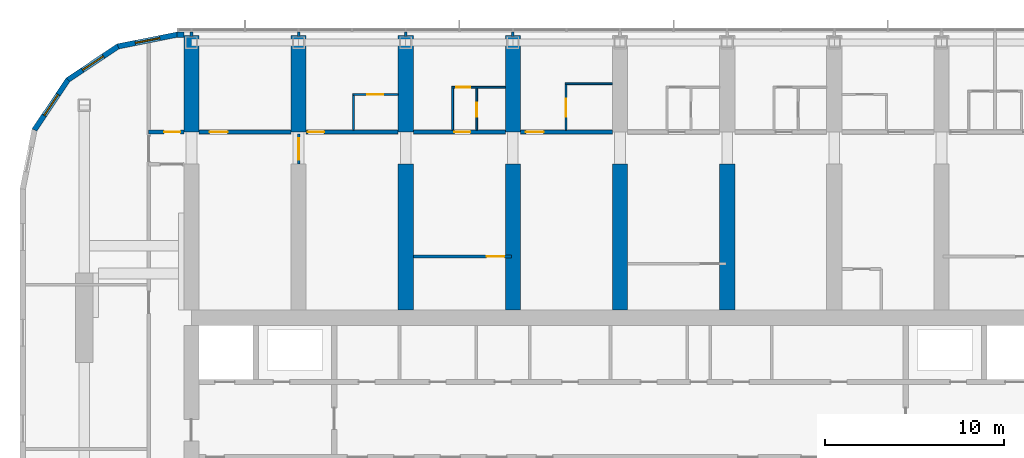
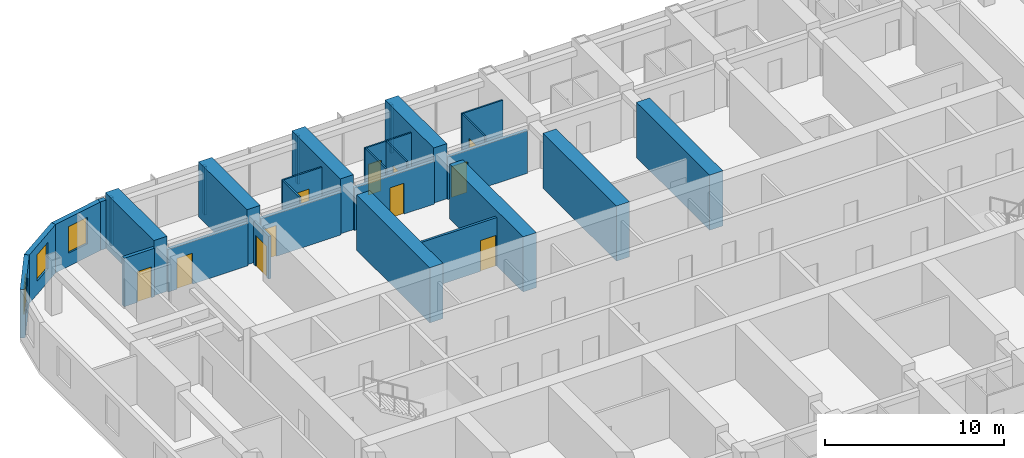
# One storey, part 15 of 22: 30 walls, 11 doors, 3 windows, 14 openings.
"""IFC4 building model written with IfcOpenShell, lengths in metres."""

from ifc_helpers import new_model, si_unit, direction, frame, frame_2d, origin, place, context, subcontext, project, spatial, polyline, rectangle, outline, extrude, material, layer, layer_set, type_object, element, fill, save


model = new_model("IFC4")

# Units and contexts
model_context = context("Model", 3, precision=1e-05, world=origin(), true_north=direction((0.0, 1.0)))
body_context = subcontext(model_context, "Body", "Model", "MODEL_VIEW")
ifc_project = project(units=[si_unit("LENGTHUNIT", "METRE"), si_unit("AREAUNIT", "SQUARE_METRE"), si_unit("VOLUMEUNIT", "CUBIC_METRE"), si_unit("PLANEANGLEUNIT", "RADIAN"), si_unit("MASSUNIT", "GRAM", prefix="KILO")], contexts=[model_context])

# Site, building, storey
site_placement = place(None, origin())
site = spatial("IfcSite", under=ifc_project, at=site_placement, CompositionType="ELEMENT")
building_placement = place(site_placement, origin())
building = spatial("IfcBuilding", under=site, at=building_placement, Name="Orbita Commons", CompositionType="ELEMENT")
storey_placement = place(building_placement, frame((0.0, 0.0, 159.85009765625)))
storey = spatial("IfcBuildingStorey", under=building, at=storey_placement, Name="L39", CompositionType="ELEMENT", Elevation=159.85009765625)

# Wall, opening, door
ifc_material_1 = material(Name="Concrete blockwork", Category="masonry")
ifc_layer_1 = layer(ifc_material_1, 0.199951171875)
ifc_layer_set_1 = layer_set([ifc_layer_1], Name="Concrete blockwork")
wall_type_1 = type_object("IfcWallType", Name="Corridor wall 200 blockwork", PredefinedType="SOLIDWALL", material=ifc_layer_set_1)
wall_1_placement = place(storey_placement, frame((15.60009765625, 48.60009765625, 0.0), z_axis=(0.0, 0.0, 1.0), x_axis=(1.0, 0.0, 0.0)))
wall_1 = element("IfcWall", 1, at=wall_1_placement, inside=storey, type_object=wall_type_1, Name="Corridor wall 200 blockwork L39", PredefinedType="SOLIDWALL", context=body_context, shape_type="SweptSolid", body=[
    extrude(rectangle(XDim=1.974853515625, YDim=0.199951171875, at=frame_2d((0.9873046875, 0.0))), origin(), (0.0, 0.0, 1.0), 3.2998046875),
])
opening_1_placement = place(wall_1_placement, frame((0.875, 0.0, 0.0)))
opening_1 = element("IfcOpeningElement", 2, at=opening_1_placement, cuts=wall_1, Name="Opening D05", PredefinedType="OPENING", context=body_context, shape_type="SweptSolid", body=[
    extrude(rectangle(XDim=0.89990234375, YDim=2.10009765625, at=frame_2d((0.449951171875, 1.050048828125))), frame((0.0, 0.10986328125, 0.0), z_axis=(0.0, -1.0, 0.0), x_axis=(1.0, 0.0, 0.0)), (0.0, 0.0, 1.0), 0.219970703125),
])
ifc_material_2 = material(Name="Steel-faced fire door leaf", Category="steel")
door_type_1 = type_object("IfcDoorType", Name="Service door 20 min 900x2100", OperationType="SINGLE_SWING_LEFT", PredefinedType="DOOR", material=ifc_material_2)
door_1_placement = place(opening_1_placement, origin())
door_1 = element("IfcDoor", 3, at=door_1_placement, inside=storey, type_object=door_type_1, Name="Linen store L39-KWN door", OperationType="SINGLE_SWING_LEFT", OverallHeight=2.10009765625, OverallWidth=0.89990234375, PredefinedType="DOOR", context=body_context, shape_type="SweptSolid", body=[
    extrude(rectangle(XDim=0.89990234375, YDim=2.10009765625, at=frame_2d((0.449951171875, 1.050048828125))), frame((0.0, 0.02490234375, 0.0), z_axis=(0.0, -1.0, 0.0), x_axis=(1.0, 0.0, 0.0)), (0.0, 0.0, 1.0), 0.050048828125),
])
fill(opening_1, door_1)

wall_2_placement = place(storey_placement, frame((18.425048828125, 48.60009765625, 0.0), z_axis=(0.0, 0.0, 1.0), x_axis=(1.0, 0.0, 0.0)))
wall_2 = element("IfcWall", 4, at=wall_2_placement, inside=storey, type_object=wall_type_1, Name="Corridor wall 200 blockwork L39", PredefinedType="SOLIDWALL", context=body_context, shape_type="SweptSolid", body=[
    extrude(outline(polyline([(0.0, 0.0), (5.14990234375, 0.0), (5.14990234375, 2.89990234375), (0.0, 2.89990234375), (0.0, 0.0)])), frame((0.0, 0.10009765625, 0.0), z_axis=(0.0, -1.0, 0.0), x_axis=(1.0, 0.0, 0.0)), (0.0, 0.0, 1.0), 0.199951171875),
])
opening_2_placement = place(wall_2_placement, frame((0.60009765625, 0.0, 0.0)))
opening_2 = element("IfcOpeningElement", 5, at=opening_2_placement, cuts=wall_2, Name="Opening D06", PredefinedType="OPENING", context=body_context, shape_type="SweptSolid", body=[
    extrude(rectangle(XDim=1.0, YDim=2.10009765625, at=frame_2d((0.5, 1.050048828125))), frame((0.0, 0.10986328125, 0.0), z_axis=(0.0, -1.0, 0.0), x_axis=(1.0, 0.0, 0.0)), (0.0, 0.0, 1.0), 0.219970703125),
])
ifc_material_3 = material(Name="Steel-faced fire door leaf", Category="steel")
door_type_2 = type_object("IfcDoorType", Name="Corridor door 20 min 1000x2100", OperationType="SINGLE_SWING_LEFT", PredefinedType="DOOR", material=ifc_material_3)
door_2_placement = place(opening_2_placement, origin())
door_2 = element("IfcDoor", 6, at=door_2_placement, inside=storey, type_object=door_type_2, Name="Sea-view lounge L39-N00 door", OperationType="SINGLE_SWING_LEFT", OverallHeight=2.10009765625, OverallWidth=1.0, PredefinedType="DOOR", context=body_context, shape_type="SweptSolid", body=[
    extrude(rectangle(XDim=1.0, YDim=2.10009765625, at=frame_2d((0.5, 1.050048828125))), frame((0.0, 0.02490234375, 0.0), z_axis=(0.0, -1.0, 0.0), x_axis=(1.0, 0.0, 0.0)), (0.0, 0.0, 1.0), 0.050048828125),
])
fill(opening_2, door_2)

wall_3_placement = place(storey_placement, frame((24.425048828125, 48.60009765625, 0.0), z_axis=(0.0, 0.0, 1.0), x_axis=(1.0, 0.0, 0.0)))
wall_3 = element("IfcWall", 7, at=wall_3_placement, inside=storey, type_object=wall_type_1, Name="Corridor wall 200 blockwork L39", PredefinedType="SOLIDWALL", context=body_context, shape_type="SweptSolid", body=[
    extrude(outline(polyline([(0.0, 0.0), (5.14990234375, 0.0), (5.14990234375, 2.89990234375), (0.0, 2.89990234375), (0.0, 0.0)])), frame((0.0, 0.10009765625, 0.0), z_axis=(0.0, -1.0, 0.0), x_axis=(1.0, 0.0, 0.0)), (0.0, 0.0, 1.0), 0.199951171875),
])
opening_3_placement = place(wall_3_placement, frame((0.10009765625, 0.0, 0.0)))
opening_3 = element("IfcOpeningElement", 8, at=opening_3_placement, cuts=wall_3, Name="Opening D11", PredefinedType="OPENING", context=body_context, shape_type="SweptSolid", body=[
    extrude(rectangle(XDim=0.89990234375, YDim=2.10009765625, at=frame_2d((0.449951171875, 1.050048828125))), frame((0.0, 0.10986328125, 0.0), z_axis=(0.0, -1.0, 0.0), x_axis=(1.0, 0.0, 0.0)), (0.0, 0.0, 1.0), 0.219970703125),
])
ifc_material_4 = material(Name="Steel-faced fire door leaf", Category="steel")
door_type_3 = type_object("IfcDoorType", Name="Corridor door 20 min 900x2100", OperationType="SINGLE_SWING_LEFT", PredefinedType="DOOR", material=ifc_material_4)
door_3_placement = place(opening_3_placement, origin())
door_3 = element("IfcDoor", 9, at=door_3_placement, inside=storey, type_object=door_type_3, Name="Twin room L39-N02 door", OperationType="SINGLE_SWING_LEFT", OverallHeight=2.10009765625, OverallWidth=0.89990234375, PredefinedType="DOOR", context=body_context, shape_type="SweptSolid", body=[
    extrude(rectangle(XDim=0.89990234375, YDim=2.10009765625, at=frame_2d((0.449951171875, 1.050048828125))), frame((0.0, 0.02490234375, 0.0), z_axis=(0.0, -1.0, 0.0), x_axis=(1.0, 0.0, 0.0)), (0.0, 0.0, 1.0), 0.050048828125),
])
fill(opening_3, door_3)

wall_4_placement = place(storey_placement, frame((30.425048828125, 48.60009765625, 0.0), z_axis=(0.0, 0.0, 1.0), x_axis=(1.0, 0.0, 0.0)))
wall_4 = element("IfcWall", 10, at=wall_4_placement, inside=storey, type_object=wall_type_1, Name="Corridor wall 200 blockwork L39", PredefinedType="SOLIDWALL", context=body_context, shape_type="SweptSolid", body=[
    extrude(outline(polyline([(0.0, 0.0), (5.14990234375, 0.0), (5.14990234375, 2.89990234375), (0.0, 2.89990234375), (0.0, 0.0)])), frame((0.0, 0.10009765625, 0.0), z_axis=(0.0, -1.0, 0.0), x_axis=(1.0, 0.0, 0.0)), (0.0, 0.0, 1.0), 0.199951171875),
])
opening_4_placement = place(wall_4_placement, frame((2.300048828125, 0.0, 0.0)))
opening_4 = element("IfcOpeningElement", 11, at=opening_4_placement, cuts=wall_4, Name="Opening D11", PredefinedType="OPENING", context=body_context, shape_type="SweptSolid", body=[
    extrude(rectangle(XDim=0.89990234375, YDim=2.10009765625, at=frame_2d((0.449951171875, 1.050048828125))), frame((0.0, 0.10986328125, 0.0), z_axis=(0.0, -1.0, 0.0), x_axis=(1.0, 0.0, 0.0)), (0.0, 0.0, 1.0), 0.219970703125),
])
door_4_placement = place(opening_4_placement, origin())
door_4 = element("IfcDoor", 12, at=door_4_placement, inside=storey, type_object=door_type_3, Name="Studio flat L39-N04 entrance door", OperationType="SINGLE_SWING_LEFT", OverallHeight=2.10009765625, OverallWidth=0.89990234375, PredefinedType="DOOR", context=body_context, shape_type="SweptSolid", body=[
    extrude(rectangle(XDim=0.89990234375, YDim=2.10009765625, at=frame_2d((0.449951171875, 1.050048828125))), frame((0.0, 0.02490234375, 0.0), z_axis=(0.0, -1.0, 0.0), x_axis=(1.0, 0.0, 0.0)), (0.0, 0.0, 1.0), 0.050048828125),
])
fill(opening_4, door_4)

wall_5_placement = place(storey_placement, frame((36.425048828125, 48.60009765625, 0.0), z_axis=(0.0, 0.0, 1.0), x_axis=(1.0, 0.0, 0.0)))
wall_5 = element("IfcWall", 13, at=wall_5_placement, inside=storey, type_object=wall_type_1, Name="Corridor wall 200 blockwork L39", PredefinedType="SOLIDWALL", context=body_context, shape_type="SweptSolid", body=[
    extrude(outline(polyline([(0.0, 0.0), (5.14990234375, 0.0), (5.14990234375, 2.89990234375), (0.0, 2.89990234375), (0.0, 0.0)])), frame((0.0, 0.10009765625, 0.0), z_axis=(0.0, -1.0, 0.0), x_axis=(1.0, 0.0, 0.0)), (0.0, 0.0, 1.0), 0.199951171875),
])
opening_5_placement = place(wall_5_placement, frame((0.300048828125, 0.0, 0.0)))
opening_5 = element("IfcOpeningElement", 14, at=opening_5_placement, cuts=wall_5, Name="Opening D06", PredefinedType="OPENING", context=body_context, shape_type="SweptSolid", body=[
    extrude(rectangle(XDim=1.0, YDim=2.10009765625, at=frame_2d((0.5, 1.050048828125))), frame((0.0, 0.10986328125, 0.0), z_axis=(0.0, -1.0, 0.0), x_axis=(1.0, 0.0, 0.0)), (0.0, 0.0, 1.0), 0.219970703125),
])
door_5_placement = place(opening_5_placement, origin())
door_5 = element("IfcDoor", 15, at=door_5_placement, inside=storey, type_object=door_type_2, Name="Accessible bedroom L39-N06 door", OperationType="SINGLE_SWING_LEFT", OverallHeight=2.10009765625, OverallWidth=1.0, PredefinedType="DOOR", context=body_context, shape_type="SweptSolid", body=[
    extrude(rectangle(XDim=1.0, YDim=2.10009765625, at=frame_2d((0.5, 1.050048828125))), frame((0.0, 0.02490234375, 0.0), z_axis=(0.0, -1.0, 0.0), x_axis=(1.0, 0.0, 0.0)), (0.0, 0.0, 1.0), 0.050048828125),
])
fill(opening_5, door_5)

# Walls
ifc_material_5 = material(Name="Concrete C50/60", Category="concrete")
ifc_layer_2 = layer(ifc_material_5, 0.85009765625)
ifc_layer_set_2 = layer_set([ifc_layer_2], Name="Concrete C50/60")
wall_type_2 = type_object("IfcWallType", Name="Cross wall 850 C50/60", PredefinedType="SHEAR", material=ifc_layer_set_2)
for number, where, z_axis, x_axis, name in (
    (16, (18.0, 48.60009765625, 0.0), (0.0, 0.0, 1.0), (0.0, 1.0, 0.0), "Cross wall 4 north outer L39"),
    (17, (24.0, 48.60009765625, 0.0), (0.0, 0.0, 1.0), (0.0, 1.0, 0.0), "Cross wall 5 north outer L39"),
    (18, (30.0, 48.60009765625, 0.0), (0.0, 0.0, 1.0), (0.0, 1.0, 0.0), "Cross wall 6 north outer L39"),
):
    element("IfcWall", number, at=place(storey_placement, frame(where, z_axis=z_axis, x_axis=x_axis)), inside=storey, type_object=wall_type_2, Name=name, PredefinedType="SHEAR", context=body_context, shape_type="SweptSolid", body=[
        extrude(rectangle(XDim=5.39990234375, YDim=0.85009765625, at=frame_2d((2.699951171875, 0.0))), origin(), (0.0, 0.0, 1.0), 3.75),
    ])
wall_6_placement = place(storey_placement, frame((30.0, 38.625, 0.0), z_axis=(0.0, 0.0, 1.0), x_axis=(0.0, 1.0, 0.0)))
element("IfcWall", 19, at=wall_6_placement, inside=storey, type_object=wall_type_2, Name="Cross wall 6 north inner L39", PredefinedType="SHEAR", context=body_context, shape_type="SweptSolid", body=[
    extrude(rectangle(XDim=8.175048828125, YDim=0.85009765625, at=frame_2d((4.08740234375, 0.0))), origin(), (0.0, 0.0, 1.0), 3.75),
])
wall_7_placement = place(storey_placement, frame((36.0, 48.60009765625, 0.0), z_axis=(0.0, 0.0, 1.0), x_axis=(0.0, 1.0, 0.0)))
element("IfcWall", 20, at=wall_7_placement, inside=storey, type_object=wall_type_2, Name="Cross wall 7 north outer L39", PredefinedType="SHEAR", context=body_context, shape_type="SweptSolid", body=[
    extrude(rectangle(XDim=5.39990234375, YDim=0.85009765625, at=frame_2d((2.699951171875, 0.0))), origin(), (0.0, 0.0, 1.0), 3.75),
])
for number, where, z_axis, x_axis, name in (
    (21, (36.0, 38.625, 0.0), (0.0, 0.0, 1.0), (0.0, 1.0, 0.0), "Cross wall 7 north inner L39"),
    (22, (42.0, 38.625, 0.0), (0.0, 0.0, 1.0), (0.0, 1.0, 0.0), "Cross wall 8 north inner L39"),
    (23, (48.0, 38.625, 0.0), (0.0, 0.0, 1.0), (0.0, 1.0, 0.0), "Cross wall 9 north inner L39"),
):
    element("IfcWall", number, at=place(storey_placement, frame(where, z_axis=z_axis, x_axis=x_axis)), inside=storey, type_object=wall_type_2, Name=name, PredefinedType="SHEAR", context=body_context, shape_type="SweptSolid", body=[
        extrude(rectangle(XDim=8.175048828125, YDim=0.85009765625, at=frame_2d((4.08740234375, 0.0))), origin(), (0.0, 0.0, 1.0), 3.75),
    ])

# Wall, opening, door
ifc_material_6 = material(Name="Moisture-resistant plasterboard on steel studs", Category="steel")
ifc_layer_3 = layer(ifc_material_6, 0.10009765625)
ifc_layer_set_3 = layer_set([ifc_layer_3], Name="Moisture-resistant plasterboard on steel studs")
wall_type_3 = type_object("IfcWallType", Name="En-suite partition 100", PredefinedType="PARTITIONING", material=ifc_layer_set_3)
wall_8_placement = place(storey_placement, frame((27.02490234375, 50.699951171875, 0.0), z_axis=(0.0, 0.0, 1.0), x_axis=(1.0, 0.0, 0.0)))
wall_8 = element("IfcWall", 24, at=wall_8_placement, inside=storey, type_object=wall_type_3, Name="En-suite partition 100 L39", PredefinedType="PARTITIONING", context=body_context, shape_type="SweptSolid", body=[
    extrude(rectangle(XDim=2.550048828125, YDim=0.10009765625, at=frame_2d((1.27490234375, 0.0))), origin(), (0.0, 0.0, 1.0), 3.2998046875),
])
opening_6_placement = place(wall_8_placement, frame((0.824951171875, 0.0, 0.0)))
opening_6 = element("IfcOpeningElement", 25, at=opening_6_placement, cuts=wall_8, Name="Opening D09", PredefinedType="OPENING", context=body_context, shape_type="SweptSolid", body=[
    extrude(rectangle(XDim=0.89990234375, YDim=2.10009765625, at=frame_2d((0.449951171875, 1.050048828125))), frame((0.0, 0.06005859375, 0.0), z_axis=(0.0, -1.0, 0.0), x_axis=(1.0, 0.0, 0.0)), (0.0, 0.0, 1.0), 0.1201171875),
])
ifc_material_7 = material(Name="Laminated timber door leaf", Category="wood")
door_type_4 = type_object("IfcDoorType", Name="En-suite door 900x2100", OperationType="SINGLE_SWING_RIGHT", PredefinedType="DOOR", material=ifc_material_7)
door_6_placement = place(opening_6_placement, origin())
door_6 = element("IfcDoor", 26, at=door_6_placement, inside=storey, type_object=door_type_4, Name="En-suite L39-N02 door", OperationType="SINGLE_SWING_RIGHT", OverallHeight=2.10009765625, OverallWidth=0.89990234375, PredefinedType="DOOR", context=body_context, shape_type="SweptSolid", body=[
    extrude(rectangle(XDim=0.89990234375, YDim=2.10009765625, at=frame_2d((0.449951171875, 1.050048828125))), frame((0.0, 0.02490234375, 0.0), z_axis=(0.0, -1.0, 0.0), x_axis=(1.0, 0.0, 0.0)), (0.0, 0.0, 1.0), 0.050048828125),
])
fill(opening_6, door_6)

# Wall
wall_9_placement = place(storey_placement, frame((27.074951171875, 50.64990234375, 0.0), z_axis=(0.0, 0.0, 1.0), x_axis=(0.0, -1.0, 0.0)))
element("IfcWall", 27, at=wall_9_placement, inside=storey, type_object=wall_type_3, Name="En-suite partition 100 L39", PredefinedType="PARTITIONING", context=body_context, shape_type="SweptSolid", body=[
    extrude(outline(polyline([(0.0, 0.0), (1.949951171875, 0.0), (1.949951171875, 2.89990234375), (1.902099609375, 2.89990234375), (1.89990234375, 3.2998046875), (0.0, 3.2998046875), (0.0, 0.0)])), frame((0.0, 0.050048828125, 0.0), z_axis=(0.0, -1.0, 0.0), x_axis=(1.0, 0.0, 0.0)), (0.0, 0.0, 1.0), 0.10009765625),
])

# Wall, opening, door
wall_10_placement = place(storey_placement, frame((32.574951171875, 51.10009765625, 0.0), z_axis=(0.0, 0.0, 1.0), x_axis=(1.0, 0.0, 0.0)))
wall_10 = element("IfcWall", 28, at=wall_10_placement, inside=storey, type_object=wall_type_3, Name="En-suite partition 100 L39", PredefinedType="PARTITIONING", context=body_context, shape_type="SweptSolid", body=[
    extrude(rectangle(XDim=3.0, YDim=0.10009765625, at=frame_2d((1.5, 0.0))), origin(), (0.0, 0.0, 1.0), 3.2998046875),
])
opening_7_placement = place(wall_10_placement, frame((0.25, 0.0, 0.0)))
opening_7 = element("IfcOpeningElement", 29, at=opening_7_placement, cuts=wall_10, Name="Opening D16", PredefinedType="OPENING", context=body_context, shape_type="SweptSolid", body=[
    extrude(rectangle(XDim=0.800048828125, YDim=2.10009765625, at=frame_2d((0.39990234375, 1.050048828125))), frame((0.0, 0.06005859375, 0.0), z_axis=(0.0, -1.0, 0.0), x_axis=(1.0, 0.0, 0.0)), (0.0, 0.0, 1.0), 0.1201171875),
])
ifc_material_8 = material(Name="Laminated timber door leaf", Category="wood")
door_type_5 = type_object("IfcDoorType", Name="En-suite door 800x2100", OperationType="SINGLE_SWING_RIGHT", PredefinedType="DOOR", material=ifc_material_8)
door_7_placement = place(opening_7_placement, origin())
door_7 = element("IfcDoor", 30, at=door_7_placement, inside=storey, type_object=door_type_5, Name="Studio flat L39-N04 door", OperationType="SINGLE_SWING_RIGHT", OverallHeight=2.10009765625, OverallWidth=0.800048828125, PredefinedType="DOOR", context=body_context, shape_type="SweptSolid", body=[
    extrude(rectangle(XDim=0.800048828125, YDim=2.10009765625, at=frame_2d((0.39990234375, 1.050048828125))), frame((0.0, 0.02490234375, 0.0), z_axis=(0.0, -1.0, 0.0), x_axis=(1.0, 0.0, 0.0)), (0.0, 0.0, 1.0), 0.050048828125),
])
fill(opening_7, door_7)

# Wall
wall_11_placement = place(storey_placement, frame((32.625, 51.050048828125, 0.0), z_axis=(0.0, 0.0, 1.0), x_axis=(0.0, -1.0, 0.0)))
element("IfcWall", 31, at=wall_11_placement, inside=storey, type_object=wall_type_3, Name="En-suite partition 100 L39", PredefinedType="PARTITIONING", context=body_context, shape_type="SweptSolid", body=[
    extrude(outline(polyline([(0.0, 0.0), (2.35009765625, 0.0), (2.35009765625, 2.89990234375), (2.302001953125, 2.89990234375), (2.300048828125, 3.2998046875), (0.0, 3.2998046875), (0.0, 0.0)])), frame((0.0, 0.050048828125, 0.0), z_axis=(0.0, -1.0, 0.0), x_axis=(1.0, 0.0, 0.0)), (0.0, 0.0, 1.0), 0.10009765625),
])

# Wall, opening, door
wall_12_placement = place(storey_placement, frame((33.97509765625, 51.050048828125, 0.0), z_axis=(0.0, 0.0, 1.0), x_axis=(0.0, -1.0, 0.0)))
wall_12 = element("IfcWall", 32, at=wall_12_placement, inside=storey, type_object=wall_type_3, Name="En-suite partition 100 L39", PredefinedType="PARTITIONING", context=body_context, shape_type="SweptSolid", body=[
    extrude(outline(polyline([(0.0, 0.0), (2.35009765625, 0.0), (2.35009765625, 2.89990234375), (2.302001953125, 2.89990234375), (2.300048828125, 3.2998046875), (0.0, 3.2998046875), (0.0, 0.0)])), frame((0.0, 0.050048828125, 0.0), z_axis=(0.0, -1.0, 0.0), x_axis=(1.0, 0.0, 0.0)), (0.0, 0.0, 1.0), 0.10009765625),
])
opening_8_placement = place(wall_12_placement, frame((0.800048828125, 0.0, 0.0)))
opening_8 = element("IfcOpeningElement", 33, at=opening_8_placement, cuts=wall_12, Name="Opening D16", PredefinedType="OPENING", context=body_context, shape_type="SweptSolid", body=[
    extrude(rectangle(XDim=0.800048828125, YDim=2.10009765625, at=frame_2d((0.39990234375, 1.050048828125))), frame((0.0, 0.06005859375, 0.0), z_axis=(0.0, -1.0, 0.0), x_axis=(1.0, 0.0, 0.0)), (0.0, 0.0, 1.0), 0.1201171875),
])
door_8_placement = place(opening_8_placement, origin())
door_8 = element("IfcDoor", 34, at=door_8_placement, inside=storey, type_object=door_type_5, Name="Studio flat shower room L39-N04 door", OperationType="SINGLE_SWING_RIGHT", OverallHeight=2.10009765625, OverallWidth=0.800048828125, PredefinedType="DOOR", context=body_context, shape_type="SweptSolid", body=[
    extrude(rectangle(XDim=0.800048828125, YDim=2.10009765625, at=frame_2d((0.39990234375, 1.050048828125))), frame((0.0, 0.02490234375, 0.0), z_axis=(0.0, -1.0, 0.0), x_axis=(1.0, 0.0, 0.0)), (0.0, 0.0, 1.0), 0.050048828125),
])
fill(opening_8, door_8)

# Wall
wall_13_placement = place(storey_placement, frame((38.925048828125, 51.300048828125, 0.0), z_axis=(0.0, 0.0, 1.0), x_axis=(1.0, 0.0, 0.0)))
element("IfcWall", 35, at=wall_13_placement, inside=storey, type_object=wall_type_3, Name="En-suite partition 100 L39", PredefinedType="PARTITIONING", context=body_context, shape_type="SweptSolid", body=[
    extrude(rectangle(XDim=2.64990234375, YDim=0.10009765625, at=frame_2d((1.324951171875, 0.0))), origin(), (0.0, 0.0, 1.0), 3.2998046875),
])

# Wall, opening, door
wall_14_placement = place(storey_placement, frame((38.97509765625, 51.25, 0.0), z_axis=(0.0, 0.0, 1.0), x_axis=(0.0, -1.0, 0.0)))
wall_14 = element("IfcWall", 36, at=wall_14_placement, inside=storey, type_object=wall_type_3, Name="En-suite partition 100 L39", PredefinedType="PARTITIONING", context=body_context, shape_type="SweptSolid", body=[
    extrude(outline(polyline([(0.0, 0.0), (2.550048828125, 0.0), (2.550048828125, 2.89990234375), (2.501953125, 2.89990234375), (2.5, 3.2998046875), (0.0, 3.2998046875), (0.0, 0.0)])), frame((0.0, 0.050048828125, 0.0), z_axis=(0.0, -1.0, 0.0), x_axis=(1.0, 0.0, 0.0)), (0.0, 0.0, 1.0), 0.10009765625),
])
opening_9_placement = place(wall_14_placement, frame((0.800048828125, 0.0, 0.0)))
opening_9 = element("IfcOpeningElement", 37, at=opening_9_placement, cuts=wall_14, Name="Opening D13", PredefinedType="OPENING", context=body_context, shape_type="SweptSolid", body=[
    extrude(rectangle(XDim=1.0, YDim=2.10009765625, at=frame_2d((0.5, 1.050048828125))), frame((0.0, 0.06005859375, 0.0), z_axis=(0.0, -1.0, 0.0), x_axis=(1.0, 0.0, 0.0)), (0.0, 0.0, 1.0), 0.1201171875),
])
ifc_material_9 = material(Name="Laminated timber door leaf", Category="wood")
door_type_6 = type_object("IfcDoorType", Name="En-suite door 1000x2100", OperationType="SINGLE_SWING_RIGHT", PredefinedType="DOOR", material=ifc_material_9)
door_9_placement = place(opening_9_placement, origin())
door_9 = element("IfcDoor", 38, at=door_9_placement, inside=storey, type_object=door_type_6, Name="Accessible shower room L39-N06 door", OperationType="SINGLE_SWING_RIGHT", OverallHeight=2.10009765625, OverallWidth=1.0, PredefinedType="DOOR", context=body_context, shape_type="SweptSolid", body=[
    extrude(rectangle(XDim=1.0, YDim=2.10009765625, at=frame_2d((0.5, 1.050048828125))), frame((0.0, 0.02490234375, 0.0), z_axis=(0.0, -1.0, 0.0), x_axis=(1.0, 0.0, 0.0)), (0.0, 0.0, 1.0), 0.050048828125),
])
fill(opening_9, door_9)

ifc_material_10 = material(Name="Gypsum plasterboard on steel studs", Category="steel")
ifc_layer_4 = layer(ifc_material_10, 0.14990234375)
ifc_layer_set_4 = layer_set([ifc_layer_4], Name="Gypsum plasterboard on steel studs")
wall_type_4 = type_object("IfcWallType", Name="Partition 150 plasterboard", PredefinedType="PARTITIONING", material=ifc_layer_set_4)
wall_15_placement = place(storey_placement, frame((35.925048828125, 41.625, 0.0), z_axis=(0.0, 0.0, 1.0), x_axis=(-1.0, 0.0, 0.0)))
wall_15 = element("IfcWall", 39, at=wall_15_placement, inside=storey, type_object=wall_type_4, Name="Partition 150 plasterboard L39", PredefinedType="PARTITIONING", context=body_context, shape_type="SweptSolid", body=[
    extrude(rectangle(XDim=5.5, YDim=0.14990234375, at=frame_2d((2.75, 0.0))), origin(), (0.0, 0.0, 1.0), 3.2998046875),
])
opening_10_placement = place(wall_15_placement, frame((0.39990234375, 0.0, 0.0)))
opening_10 = element("IfcOpeningElement", 40, at=opening_10_placement, cuts=wall_15, Name="Opening D17", PredefinedType="OPENING", context=body_context, shape_type="SweptSolid", body=[
    extrude(rectangle(XDim=1.0, YDim=2.10009765625, at=frame_2d((0.5, 1.050048828125))), frame((0.0, 0.0849609375, 0.0), z_axis=(0.0, -1.0, 0.0), x_axis=(1.0, 0.0, 0.0)), (0.0, 0.0, 1.0), 0.169921875),
])
ifc_material_11 = material(Name="Steel-faced fire door leaf", Category="steel")
door_type_7 = type_object("IfcDoorType", Name="Shaft access door 90 min 1000x2100", OperationType="SINGLE_SWING_LEFT", PredefinedType="DOOR", material=ifc_material_11)
door_10_placement = place(opening_10_placement, origin())
door_10 = element("IfcDoor", 41, at=door_10_placement, inside=storey, type_object=door_type_7, Name="Ventilation plant room north L39-BDN30 door", OperationType="SINGLE_SWING_LEFT", OverallHeight=2.10009765625, OverallWidth=1.0, PredefinedType="DOOR", context=body_context, shape_type="SweptSolid", body=[
    extrude(rectangle(XDim=1.0, YDim=2.10009765625, at=frame_2d((0.5, 1.050048828125))), frame((0.0, 0.02490234375, 0.0), z_axis=(0.0, -1.0, 0.0), x_axis=(1.0, 0.0, 0.0)), (0.0, 0.0, 1.0), 0.050048828125),
])
fill(opening_10, door_10)

wall_16_placement = place(storey_placement, frame((24.0, 46.800048828125, 0.0), z_axis=(0.0, 0.0, 1.0), x_axis=(0.0, 1.0, 0.0)))
wall_16 = element("IfcWall", 42, at=wall_16_placement, inside=storey, type_object=wall_type_4, Name="Partition 150 plasterboard L39", PredefinedType="PARTITIONING", context=body_context, shape_type="SweptSolid", body=[
    extrude(outline(polyline([(0.0, 0.0), (1.699951171875, 0.0), (1.699951171875, 2.89990234375), (0.0, 2.89990234375), (0.0, 0.0)])), frame((0.0, 0.074951171875, 0.0), z_axis=(0.0, -1.0, 0.0), x_axis=(1.0, 0.0, 0.0)), (0.0, 0.0, 1.0), 0.14990234375),
])
opening_11_placement = place(wall_16_placement, frame((0.25, 0.0, 0.0)))
opening_11 = element("IfcOpeningElement", 43, at=opening_11_placement, cuts=wall_16, Name="Opening D12", PredefinedType="OPENING", context=body_context, shape_type="SweptSolid", body=[
    extrude(rectangle(XDim=1.199951171875, YDim=2.10009765625, at=frame_2d((0.60009765625, 1.050048828125))), frame((0.0, 0.0849609375, 0.0), z_axis=(0.0, -1.0, 0.0), x_axis=(1.0, 0.0, 0.0)), (0.0, 0.0, 1.0), 0.169921875),
])
ifc_material_12 = material(Name="Steel-faced fire door leaf", Category="steel")
door_type_8 = type_object("IfcDoorType", Name="Double corridor door 20 min 1200x2100", OperationType="DOUBLE_DOOR_SINGLE_SWING", PredefinedType="DOOR", material=ifc_material_12)
door_11_placement = place(opening_11_placement, origin())
door_11 = element("IfcDoor", 44, at=door_11_placement, inside=storey, type_object=door_type_8, Name="Social spine north screen doors", OperationType="DOUBLE_DOOR_SINGLE_SWING", OverallHeight=2.10009765625, OverallWidth=1.199951171875, PredefinedType="DOOR", context=body_context, shape_type="SweptSolid", body=[
    extrude(rectangle(XDim=1.199951171875, YDim=2.10009765625, at=frame_2d((0.60009765625, 1.050048828125))), frame((0.0, 0.02490234375, 0.0), z_axis=(0.0, -1.0, 0.0), x_axis=(1.0, 0.0, 0.0)), (0.0, 0.0, 1.0), 0.050048828125),
])
fill(opening_11, door_11)

# Walls
for number, where, z_axis, x_axis, name in (
    (45, (18.0, 53.949951171875, 0.0), (0.0, 0.0, 1.0), (0.0, 1.0, 0.0), "Partition 150 plasterboard L39"),
    (46, (24.0, 53.949951171875, 0.0), (0.0, 0.0, 1.0), (0.0, 1.0, 0.0), "Partition 150 plasterboard L39"),
    (47, (30.0, 53.949951171875, 0.0), (0.0, 0.0, 1.0), (0.0, 1.0, 0.0), "Partition 150 plasterboard L39"),
    (48, (36.0, 53.949951171875, 0.0), (0.0, 0.0, 1.0), (0.0, 1.0, 0.0), "Partition 150 plasterboard L39"),
):
    element("IfcWall", number, at=place(storey_placement, frame(where, z_axis=z_axis, x_axis=x_axis)), inside=storey, type_object=wall_type_4, Name=name, PredefinedType="PARTITIONING", context=body_context, shape_type="SweptSolid", body=[
        extrude(rectangle(XDim=0.239990234375, YDim=0.14990234375, at=frame_2d((0.1201171875, 0.0))), origin(), (0.0, 0.0, 1.0), 3.2998046875),
    ])

# Wall, opening, window
ifc_material_13 = material(Name="Precast concrete C40/50, white board-marked finish", Category="concrete")
ifc_layer_5 = layer(ifc_material_13, 0.300048828125)
ifc_layer_set_5 = layer_set([ifc_layer_5], Name="Precast concrete C40/50, white board-marked finish")
wall_type_5 = type_object("IfcWallType", Name="Precast concrete end shield 300", PredefinedType="SOLIDWALL", material=ifc_layer_set_5)
wall_17_placement = place(storey_placement, frame((17.199951171875, 54.050048828125, 0.0), z_axis=(0.0, 0.0, 1.0), x_axis=(-0.98078325777, -0.195100490205, 0.0)))
wall_17 = element("IfcWall", 49, at=wall_17_placement, inside=storey, type_object=wall_type_5, Name="End shield NW chord 1 L39", PredefinedType="SOLIDWALL", context=body_context, shape_type="SweptSolid", body=[
    extrude(outline(polyline([(-0.02978515625, -0.14990234375), (3.40478515625, -0.14990234375), (3.34521484375, 0.14990234375), (0.02978515625, 0.14990234375), (-0.02978515625, -0.14990234375)])), origin(), (0.0, 0.0, 1.0), 3.2998046875),
])
opening_12_placement = place(wall_17_placement, frame((0.987548828125, 0.0, 0.89990234375)))
opening_12 = element("IfcOpeningElement", 50, at=opening_12_placement, cuts=wall_17, Name="Opening W02", PredefinedType="OPENING", context=body_context, shape_type="SweptSolid", body=[
    extrude(rectangle(XDim=1.39990234375, YDim=1.800048828125, at=frame_2d((0.699951171875, 0.89990234375))), frame((0.0, 0.159912109375, 0.0), z_axis=(0.0, -1.0, 0.0), x_axis=(1.0, 0.0, 0.0)), (0.0, 0.0, 1.0), 0.320068359375),
])
ifc_material_14 = material(Name="Aluminium frame, clear double glazing", Category="aluminium")
window_type = type_object("IfcWindowType", Name="Deep-set window 1400x1800", PartitioningType="SINGLE_PANEL", PredefinedType="WINDOW", material=ifc_material_14)
window_1_placement = place(opening_12_placement, origin())
window_1 = element("IfcWindow", 51, at=window_1_placement, inside=storey, type_object=window_type, Name="Window L39-NW0", OverallHeight=1.800048828125, OverallWidth=1.39990234375, PartitioningType="SINGLE_PANEL", PredefinedType="WINDOW", context=body_context, shape_type="SweptSolid", body=[
    extrude(rectangle(XDim=1.39990234375, YDim=1.800048828125, at=frame_2d((0.699951171875, 0.89990234375))), frame((0.0, 0.030029296875, 0.0), z_axis=(0.0, -1.0, 0.0), x_axis=(1.0, 0.0, 0.0)), (0.0, 0.0, 1.0), 0.06005859375),
])
fill(opening_12, window_1)

wall_18_placement = place(storey_placement, frame((13.889892578125, 53.3916015625, 0.0), z_axis=(0.0, 0.0, 1.0), x_axis=(-0.831493450887, -0.555534554399, 0.0)))
wall_18 = element("IfcWall", 52, at=wall_18_placement, inside=storey, type_object=wall_type_5, Name="End shield NW chord 2 L39", PredefinedType="SOLIDWALL", context=body_context, shape_type="SweptSolid", body=[
    extrude(outline(polyline([(-0.02978515625, -0.14990234375), (3.405029296875, -0.14990234375), (3.345458984375, 0.14990234375), (0.02978515625, 0.14990234375), (-0.02978515625, -0.14990234375)])), origin(), (0.0, 0.0, 1.0), 3.2998046875),
])
opening_13_placement = place(wall_18_placement, frame((0.987548828125, 0.0, 0.89990234375)))
opening_13 = element("IfcOpeningElement", 53, at=opening_13_placement, cuts=wall_18, Name="Opening W02", PredefinedType="OPENING", context=body_context, shape_type="SweptSolid", body=[
    extrude(rectangle(XDim=1.39990234375, YDim=1.800048828125, at=frame_2d((0.699951171875, 0.89990234375))), frame((0.0, 0.159912109375, 0.0), z_axis=(0.0, -1.0, 0.0), x_axis=(1.0, 0.0, 0.0)), (0.0, 0.0, 1.0), 0.320068359375),
])
window_2_placement = place(opening_13_placement, origin())
window_2 = element("IfcWindow", 54, at=window_2_placement, inside=storey, type_object=window_type, Name="Window L39-NW1", OverallHeight=1.800048828125, OverallWidth=1.39990234375, PartitioningType="SINGLE_PANEL", PredefinedType="WINDOW", context=body_context, shape_type="SweptSolid", body=[
    extrude(rectangle(XDim=1.39990234375, YDim=1.800048828125, at=frame_2d((0.699951171875, 0.89990234375))), frame((0.0, 0.030029296875, 0.0), z_axis=(0.0, -1.0, 0.0), x_axis=(1.0, 0.0, 0.0)), (0.0, 0.0, 1.0), 0.06005859375),
])
fill(opening_13, window_2)

wall_19_placement = place(storey_placement, frame((11.08349609375, 51.5166015625, 0.0), z_axis=(0.0, 0.0, 1.0), x_axis=(-0.555534554399, -0.831493450887, 0.0)))
wall_19 = element("IfcWall", 55, at=wall_19_placement, inside=storey, type_object=wall_type_5, Name="End shield NW chord 3 L39", PredefinedType="SOLIDWALL", context=body_context, shape_type="SweptSolid", body=[
    extrude(outline(polyline([(-0.02978515625, -0.14990234375), (3.405029296875, -0.14990234375), (3.345458984375, 0.14990234375), (0.02978515625, 0.14990234375), (-0.02978515625, -0.14990234375)])), origin(), (0.0, 0.0, 1.0), 3.2998046875),
])
opening_14_placement = place(wall_19_placement, frame((0.987548828125, 0.0, 0.89990234375)))
opening_14 = element("IfcOpeningElement", 56, at=opening_14_placement, cuts=wall_19, Name="Opening W02", PredefinedType="OPENING", context=body_context, shape_type="SweptSolid", body=[
    extrude(rectangle(XDim=1.39990234375, YDim=1.800048828125, at=frame_2d((0.699951171875, 0.89990234375))), frame((0.0, 0.159912109375, 0.0), z_axis=(0.0, -1.0, 0.0), x_axis=(1.0, 0.0, 0.0)), (0.0, 0.0, 1.0), 0.320068359375),
])
window_3_placement = place(opening_14_placement, origin())
window_3 = element("IfcWindow", 57, at=window_3_placement, inside=storey, type_object=window_type, Name="Window L39-NW2", OverallHeight=1.800048828125, OverallWidth=1.39990234375, PartitioningType="SINGLE_PANEL", PredefinedType="WINDOW", context=body_context, shape_type="SweptSolid", body=[
    extrude(rectangle(XDim=1.39990234375, YDim=1.800048828125, at=frame_2d((0.699951171875, 0.89990234375))), frame((0.0, 0.030029296875, 0.0), z_axis=(0.0, -1.0, 0.0), x_axis=(1.0, 0.0, 0.0)), (0.0, 0.0, 1.0), 0.06005859375),
])
fill(opening_14, window_3)

# Wall
wall_20_placement = place(storey_placement, frame((17.199951171875, 54.050048828125, 0.0), z_axis=(0.0, 0.0, 1.0), x_axis=(1.0, 0.0, 0.0)))
element("IfcWall", 58, at=wall_20_placement, inside=storey, type_object=wall_type_5, Name="End shield NW closer L39", PredefinedType="SOLIDWALL", context=body_context, shape_type="SweptSolid", body=[
    extrude(rectangle(XDim=0.375, YDim=0.300048828125, at=frame_2d((0.1875, 0.0))), origin(), (0.0, 0.0, 1.0), 3.2998046875),
])

save(model, "model.ifc")
